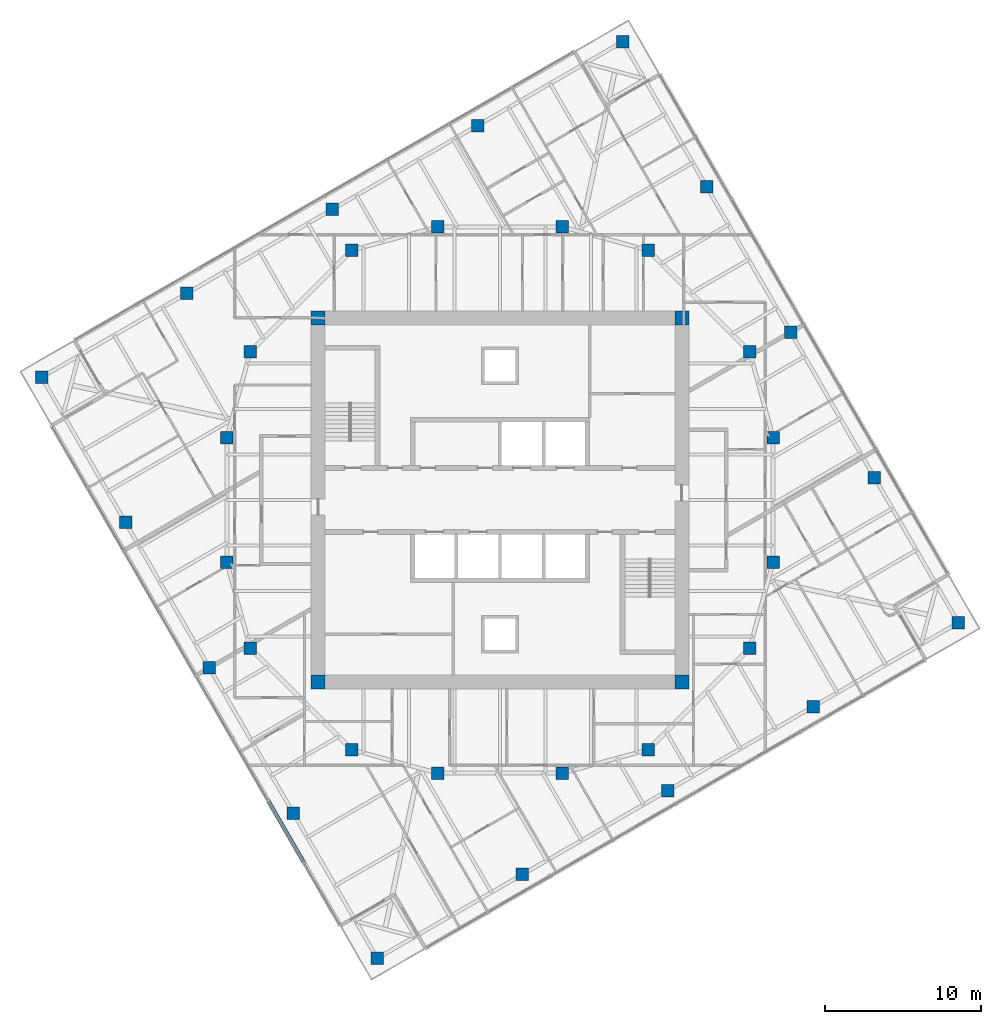
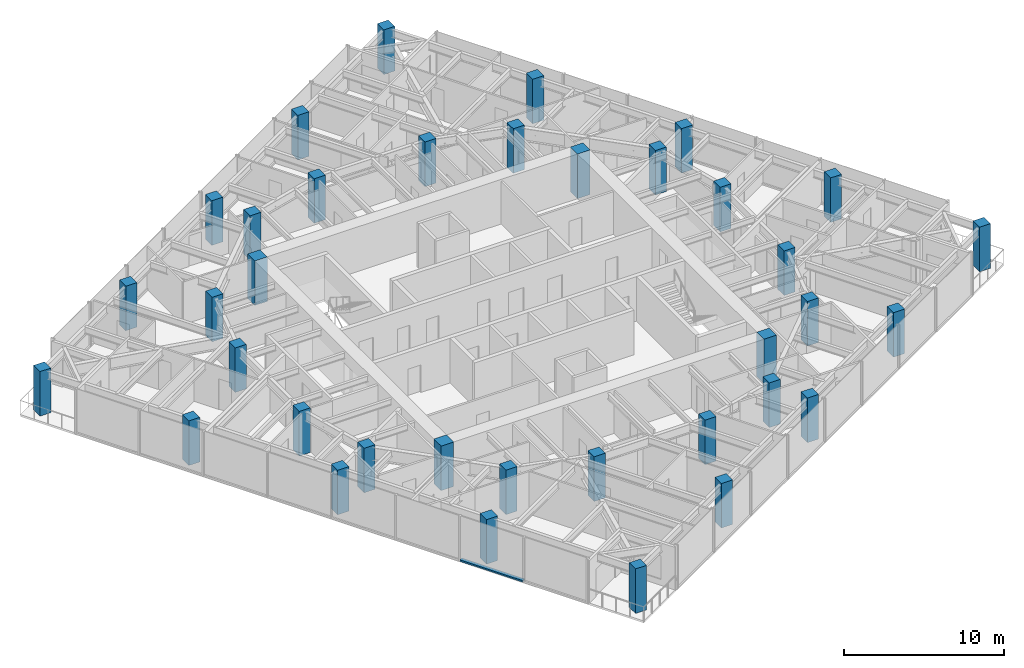
# One storey, part 1 of 12: 36 columns, 1 member, 1 element without a shape of its own.
"""IFC4 building model written with IfcOpenShell, lengths in metres."""

from ifc_helpers import new_model, si_unit, direction, frame, origin, origin_2d, place, context, subcontext, project, spatial, rectangle, extrude, material, material_profile, profile_set, type_object, element, aggregate, save


model = new_model("IFC4")

# Units and contexts
model_context = context("Model", 3, precision=1e-05, world=origin(), true_north=direction((0.0, 1.0)))
body_context = subcontext(model_context, "Body", "Model", "MODEL_VIEW")
ifc_project = project(units=[si_unit("LENGTHUNIT", "METRE"), si_unit("AREAUNIT", "SQUARE_METRE"), si_unit("VOLUMEUNIT", "CUBIC_METRE"), si_unit("PLANEANGLEUNIT", "RADIAN"), si_unit("MASSUNIT", "GRAM", prefix="KILO")], contexts=[model_context])

# Site, building, storey
site_placement = place(None, origin())
site = spatial("IfcSite", under=ifc_project, at=site_placement, CompositionType="ELEMENT")
building_placement = place(site_placement, origin())
building = spatial("IfcBuilding", under=site, at=building_placement, Name="Torsade Residences", CompositionType="ELEMENT")
storey_placement = place(building_placement, frame((0.0, 0.0, 211.60009765625)))
storey = spatial("IfcBuildingStorey", under=building, at=storey_placement, Name="L58", CompositionType="ELEMENT", Elevation=211.60009765625)

# Columns
ifc_material_1 = material(Name="Concrete 80 MPa", Category="concrete")
ifc_material_profile_1 = material_profile(ifc_material_1, rectangle(XDim=0.89990234375, YDim=0.89990234375, at=origin_2d()), Name="RC 900x900")
ifc_profile_set_1 = profile_set([ifc_material_profile_1], Name="Concrete 80 MPa")
column_type_1 = type_object("IfcColumnType", Name="CORE CORNER COLUMN RC 900x900", PredefinedType="COLUMN", material=ifc_profile_set_1)
for number, where, z_axis, x_axis, name in (
    (1, (28.35009765625, 18.35009765625, 0.0), (0.0, 0.0, 1.0), (1.0, 0.0, 0.0), "Core corner column CC1 L58"),
    (2, (51.64990234375, 18.35009765625, 0.0), (0.0, 0.0, 1.0), (1.0, 0.0, 0.0), "Core corner column CC2 L58"),
    (3, (51.64990234375, 41.64990234375, 0.0), (0.0, 0.0, 1.0), (1.0, 0.0, 0.0), "Core corner column CC3 L58"),
    (4, (28.35009765625, 41.64990234375, 0.0), (0.0, 0.0, 1.0), (1.0, 0.0, 0.0), "Core corner column CC4 L58"),
):
    element("IfcColumn", number, at=place(storey_placement, frame(where, z_axis=z_axis, x_axis=x_axis)), inside=storey, type_object=column_type_1, Name=name, PredefinedType="COLUMN", context=body_context, shape_type="SweptSolid", body=[
        extrude(rectangle(XDim=0.89990234375, YDim=0.89990234375, at=origin_2d()), origin(), (0.0, 0.0, 1.0), 3.39990234375),
    ])
ifc_material_2 = material(Name="Concrete 80 MPa", Category="concrete")
ifc_material_profile_2 = material_profile(ifc_material_2, rectangle(XDim=0.800048828125, YDim=0.800048828125, at=origin_2d()), Name="RC 800x800")
ifc_profile_set_2 = profile_set([ifc_material_profile_2], Name="Concrete 80 MPa")
column_type_2 = type_object("IfcColumnType", Name="INNER RING COLUMN RC 800x800", PredefinedType="COLUMN", material=ifc_profile_set_2)
for number, where, z_axis, x_axis, name in (
    (5, (57.5, 26.0, 0.0), (0.0, 0.0, 1.0), (1.0, 0.0, 0.0), "Inner ring column IR01 L58"),
    (6, (57.5, 34.0, 0.0), (0.0, 0.0, 1.0), (1.0, 0.0, 0.0), "Inner ring column IR02 L58"),
    (7, (56.0, 39.5, 0.0), (0.0, 0.0, 1.0), (1.0, 0.0, 0.0), "Inner ring column IR03 L58"),
    (8, (49.5, 46.0, 0.0), (0.0, 0.0, 1.0), (1.0, 0.0, 0.0), "Inner ring column IR04 L58"),
    (9, (44.0, 47.5, 0.0), (0.0, 0.0, 1.0), (1.0, 0.0, 0.0), "Inner ring column IR05 L58"),
    (10, (36.0, 47.5, 0.0), (0.0, 0.0, 1.0), (1.0, 0.0, 0.0), "Inner ring column IR06 L58"),
    (11, (30.5, 46.0, 0.0), (0.0, 0.0, 1.0), (1.0, 0.0, 0.0), "Inner ring column IR07 L58"),
    (12, (24.0, 39.5, 0.0), (0.0, 0.0, 1.0), (1.0, 0.0, 0.0), "Inner ring column IR08 L58"),
    (13, (22.5, 34.0, 0.0), (0.0, 0.0, 1.0), (1.0, 0.0, 0.0), "Inner ring column IR09 L58"),
    (14, (22.5, 26.0, 0.0), (0.0, 0.0, 1.0), (1.0, 0.0, 0.0), "Inner ring column IR10 L58"),
    (15, (24.0, 20.5, 0.0), (0.0, 0.0, 1.0), (1.0, 0.0, 0.0), "Inner ring column IR11 L58"),
    (16, (30.5, 14.0, 0.0), (0.0, 0.0, 1.0), (1.0, 0.0, 0.0), "Inner ring column IR12 L58"),
    (17, (36.0, 12.5, 0.0), (0.0, 0.0, 1.0), (1.0, 0.0, 0.0), "Inner ring column IR13 L58"),
    (18, (44.0, 12.5, 0.0), (0.0, 0.0, 1.0), (1.0, 0.0, 0.0), "Inner ring column IR14 L58"),
    (19, (49.5, 14.0, 0.0), (0.0, 0.0, 1.0), (1.0, 0.0, 0.0), "Inner ring column IR15 L58"),
    (20, (56.0, 20.5, 0.0), (0.0, 0.0, 1.0), (1.0, 0.0, 0.0), "Inner ring column IR16 L58"),
):
    element("IfcColumn", number, at=place(storey_placement, frame(where, z_axis=z_axis, x_axis=x_axis)), inside=storey, type_object=column_type_2, Name=name, PredefinedType="COLUMN", context=body_context, shape_type="SweptSolid", body=[
        extrude(rectangle(XDim=0.800048828125, YDim=0.800048828125, at=origin_2d()), origin(), (0.0, 0.0, 1.0), 3.39990234375),
    ])
ifc_material_3 = material(Name="Concrete 80 MPa", Category="concrete")
ifc_material_profile_3 = material_profile(ifc_material_3, rectangle(XDim=0.800048828125, YDim=0.800048828125, at=origin_2d()), Name="RC 800x800")
ifc_profile_set_3 = profile_set([ifc_material_profile_3], Name="Concrete 80 MPa")
column_type_3 = type_object("IfcColumnType", Name="TOWER COLUMN RC 800x800", PredefinedType="COLUMN", material=ifc_profile_set_3)
for number, where, z_axis, x_axis, name in (
    (21, (32.13037109375, 0.63037109375, 0.0), (0.0, 0.0, 1.0), (1.0, 0.0, 0.0), "Column TC7-01 L58"),
    (22, (41.440185546875, 6.00537109375, 0.0), (0.0, 0.0, 1.0), (1.0, 0.0, 0.0), "Column TC7-02 L58"),
    (23, (50.75, 11.38037109375, 0.0), (0.0, 0.0, 1.0), (1.0, 0.0, 0.0), "Column TC7-03 L58"),
    (24, (60.059814453125, 16.75537109375, 0.0), (0.0, 0.0, 1.0), (1.0, 0.0, 0.0), "Column TC7-04 L58"),
    (25, (69.36962890625, 22.13037109375, 0.0), (0.0, 0.0, 1.0), (1.0, 0.0, 0.0), "Column TC7-05 L58"),
    (26, (63.99462890625, 31.440185546875, 0.0), (0.0, 0.0, 1.0), (1.0, 0.0, 0.0), "Column TC7-06 L58"),
    (27, (58.61962890625, 40.75, 0.0), (0.0, 0.0, 1.0), (1.0, 0.0, 0.0), "Column TC7-07 L58"),
    (28, (53.24462890625, 50.059814453125, 0.0), (0.0, 0.0, 1.0), (1.0, 0.0, 0.0), "Column TC7-08 L58"),
    (29, (47.86962890625, 59.36962890625, 0.0), (0.0, 0.0, 1.0), (1.0, 0.0, 0.0), "Column TC7-09 L58"),
    (30, (38.559814453125, 53.99462890625, 0.0), (0.0, 0.0, 1.0), (1.0, 0.0, 0.0), "Column TC7-10 L58"),
    (31, (29.25, 48.61962890625, 0.0), (0.0, 0.0, 1.0), (1.0, 0.0, 0.0), "Column TC7-11 L58"),
    (32, (19.940185546875, 43.24462890625, 0.0), (0.0, 0.0, 1.0), (1.0, 0.0, 0.0), "Column TC7-12 L58"),
    (33, (10.63037109375, 37.86962890625, 0.0), (0.0, 0.0, 1.0), (1.0, 0.0, 0.0), "Column TC7-13 L58"),
    (34, (16.00537109375, 28.559814453125, 0.0), (0.0, 0.0, 1.0), (1.0, 0.0, 0.0), "Column TC7-14 L58"),
    (35, (21.38037109375, 19.25, 0.0), (0.0, 0.0, 1.0), (1.0, 0.0, 0.0), "Column TC7-15 L58"),
    (36, (26.75537109375, 9.940185546875, 0.0), (0.0, 0.0, 1.0), (1.0, 0.0, 0.0), "Column TC7-16 L58"),
):
    element("IfcColumn", number, at=place(storey_placement, frame(where, z_axis=z_axis, x_axis=x_axis)), inside=storey, type_object=column_type_3, Name=name, PredefinedType="COLUMN", context=body_context, shape_type="SweptSolid", body=[
        extrude(rectangle(XDim=0.800048828125, YDim=0.800048828125, at=origin_2d()), origin(), (0.0, 0.0, 1.0), 3.39990234375),
    ])

# Curtain wall, member
ifc_material_4 = material(Name="Aluminium and glass", Category="aluminium")
curtain_wall_type = type_object("IfcCurtainWallType", Name="FRITTED GLASS CURTAIN WALL HIGH ZONE", PredefinedType="NOTDEFINED", material=ifc_material_4)
curtain_wall_placement = place(storey_placement, origin())
curtain_wall = element("IfcCurtainWall", 37, at=curtain_wall_placement, inside=storey, type_object=curtain_wall_type, Name="Curtain wall L58 face 10", PredefinedType="NOTDEFINED")
ifc_material_5 = material(Name="Aluminium transom", Category="aluminium")
ifc_material_profile_4 = material_profile(ifc_material_5, rectangle(XDim=0.25, YDim=0.1201171875, at=origin_2d()), Name="HIGH ZONE CURTAIN WALL TRANSOM 250x120")
ifc_profile_set_4 = profile_set([ifc_material_profile_4], Name="Aluminium transom")
member_type = type_object("IfcMemberType", Name="HIGH ZONE CURTAIN WALL TRANSOM 250x120", PredefinedType="USERDEFINED", material=ifc_profile_set_4)
member_placement = place(storey_placement, frame((25.164306640625, 10.696044921875, 0.059814453125), z_axis=(0.500015112013, -0.866016678684, 0.0), x_axis=(0.866016678684, 0.500015112013, 0.0)))
member = element("IfcMember", 38, at=member_placement, type_object=member_type, Name="Transom 7.1", ObjectType="TRANSOM", PredefinedType="USERDEFINED", context=body_context, shape_type="SweptSolid", body=[
    extrude(rectangle(XDim=0.25, YDim=0.1201171875, at=origin_2d()), origin(), (0.0, 0.0, 1.0), 4.525146484375),
])
aggregate(curtain_wall, [member])

save(model, "model.ifc")
